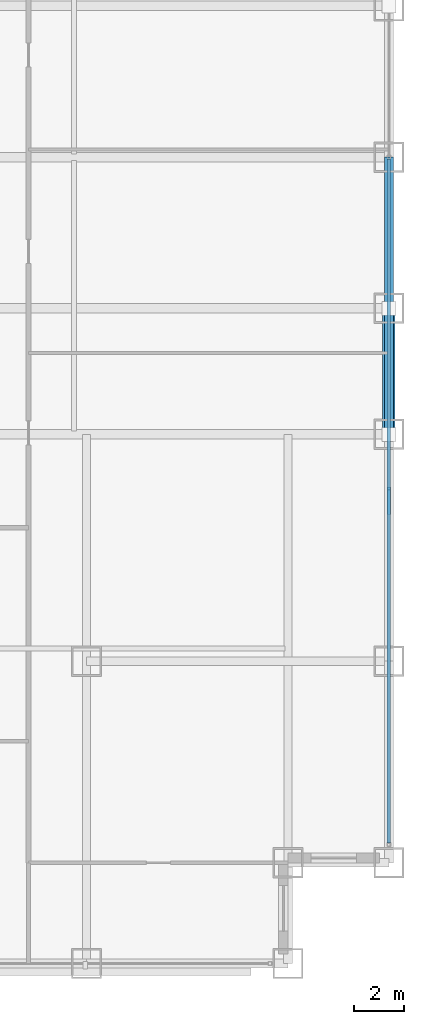
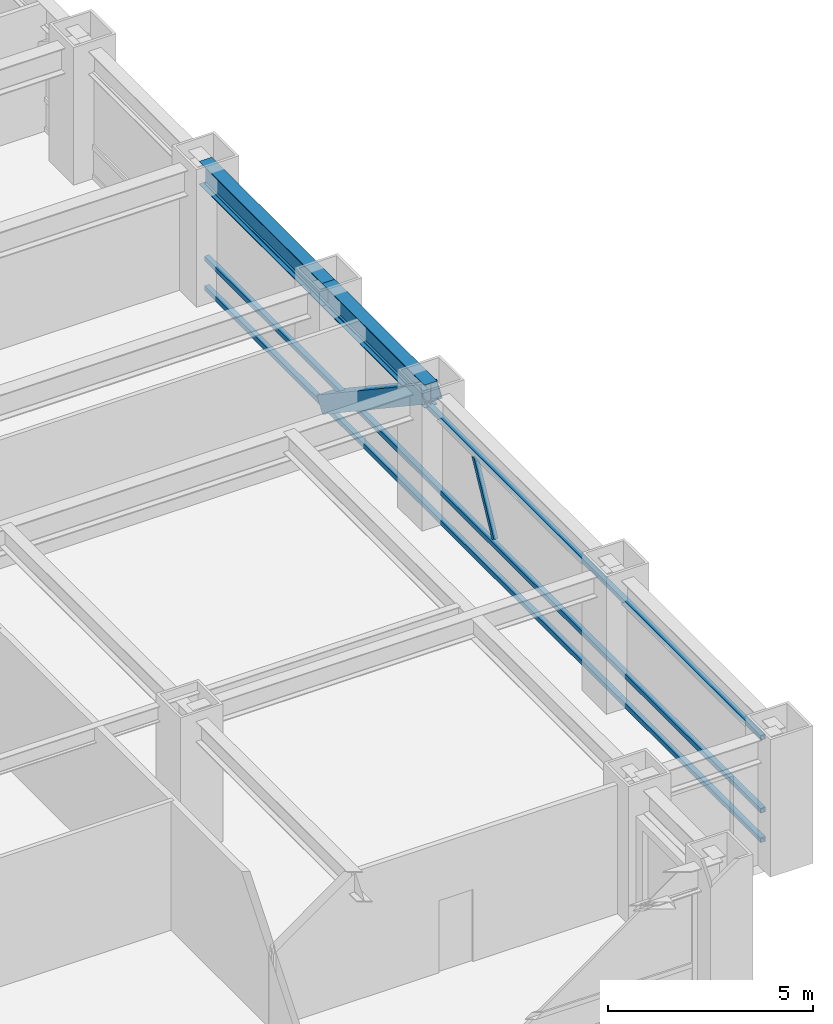
# One storey, part 13 of 32: 5 members, 2 beams, 1 element without a shape of its own.
"""IFC4 building model written with IfcOpenShell, lengths in metres."""

from ifc_helpers import new_model, si_unit, direction, frame, origin, origin_2d, place, context, subcontext, project, spatial, hollow_rectangle, i_section, extrude, source, transform, mapped, material, material_profile, profile_set, type_object, element, aggregate, save


model = new_model("IFC4")

# Units and contexts
model_context = context("Model", 3, precision=1e-05, world=origin(), true_north=direction((0.0, 1.0)))
body_context = subcontext(model_context, "Body", "Model", "MODEL_VIEW")
ifc_project = project(units=[si_unit("LENGTHUNIT", "METRE"), si_unit("AREAUNIT", "SQUARE_METRE"), si_unit("VOLUMEUNIT", "CUBIC_METRE"), si_unit("PLANEANGLEUNIT", "RADIAN"), si_unit("MASSUNIT", "GRAM", prefix="KILO")], contexts=[model_context])

# Site, building, storey
site_placement = place(None, origin())
site = spatial("IfcSite", under=ifc_project, at=site_placement, CompositionType="ELEMENT")
building_placement = place(site_placement, origin())
building = spatial("IfcBuilding", under=site, at=building_placement, Name="Khorayat Bourse Tower", CompositionType="ELEMENT")
storey_placement = place(building_placement, frame((0.0, 0.0, 99.60009765625)))
storey = spatial("IfcBuildingStorey", under=building, at=storey_placement, Name="L22", CompositionType="ELEMENT", Elevation=99.60009765625)

# Beams
ifc_material_1 = material(Name="Steel ASTM A992 Grade 50", Category="steel")
ifc_material_profile_1 = material_profile(ifc_material_1, i_section(OverallWidth=0.35498046875, OverallDepth=0.695068359375, WebThickness=0.015380859375, FlangeThickness=0.02490234375, FilletRadius=0.01806640625, at=origin_2d()), Name="W690X217")
ifc_profile_set_1 = profile_set([ifc_material_profile_1], Name="Steel ASTM A992 Grade 50")
beam_type = type_object("IfcBeamType", Name="BM-SPAN-690", PredefinedType="SPANDREL", material=ifc_profile_set_1)
shared_shape_1 = source(origin(), body_context, "Body", "SweptSolid", [
    extrude(i_section(OverallWidth=0.35498046875, OverallDepth=0.695068359375, WebThickness=0.015380859375, FlangeThickness=0.02490234375, FilletRadius=0.01806640625, at=origin_2d()), origin(), (0.0, 0.0, 1.0), 5.0),
])
beam_1_placement = place(storey_placement, frame((32.0, -11.0, 3.492431640625), z_axis=(0.0, 1.0, 0.0), x_axis=(-1.0, 0.0, 0.0)))
element("IfcBeam", 1, at=beam_1_placement, inside=storey, type_object=beam_type, Name="L22 BM-SPAN-690 BM-L22-SPN-036", PredefinedType="SPANDREL", context=body_context, shape_type="MappedRepresentation", body=[
    mapped(shared_shape_1, transform((0.0, 0.0, 0.0), scale=1.0)),
])
shared_shape_2 = source(origin(), body_context, "Body", "SweptSolid", [
    extrude(i_section(OverallWidth=0.35498046875, OverallDepth=0.695068359375, WebThickness=0.015380859375, FlangeThickness=0.02490234375, FilletRadius=0.01806640625, at=origin_2d()), origin(), (0.0, 0.0, 1.0), 6.0),
])
beam_2_placement = place(storey_placement, frame((32.0, -6.0, 3.492431640625), z_axis=(0.0, 1.0, 0.0), x_axis=(-1.0, 0.0, 0.0)))
element("IfcBeam", 2, at=beam_2_placement, inside=storey, type_object=beam_type, Name="L22 BM-SPAN-690 BM-L22-SPN-037", PredefinedType="SPANDREL", context=body_context, shape_type="MappedRepresentation", body=[
    mapped(shared_shape_2, transform((0.0, 0.0, 0.0), scale=1.0)),
])

# Member
ifc_material_2 = material(Name="Steel EN 10025-4 S460M", Category="steel")
ifc_material_profile_2 = material_profile(ifc_material_2, hollow_rectangle(XDim=0.5, YDim=0.5, WallThickness=0.028076171875, at=origin_2d()), Name="HSS 500x500x28")
ifc_profile_set_2 = profile_set([ifc_material_profile_2], Name="Steel EN 10025-4 S460M")
member_type_1 = type_object("IfcMemberType", Name="MBR-TUBE-500", PredefinedType="BRACE", material=ifc_profile_set_2)
shared_shape_3 = source(origin(), body_context, "Body", "SweptSolid", [
    extrude(hollow_rectangle(XDim=0.5, YDim=0.5, WallThickness=0.028076171875, at=origin_2d()), origin(), (0.0, 0.0, 1.0), 6.012939453125),
])
member_1_placement = place(storey_placement, frame((32.0, -11.0, 3.58984375), z_axis=(0.0, 0.831550226979, -0.555449565677), x_axis=(-1.0, 0.0, 0.0)))
element("IfcMember", 3, at=member_1_placement, inside=storey, type_object=member_type_1, Name="L22 Perimeter Tube Brace 07", PredefinedType="BRACE", context=body_context, shape_type="MappedRepresentation", body=[
    mapped(shared_shape_3, transform((0.0, 0.0, 0.0), scale=1.0)),
])

# Curtain wall, members
ifc_material_3 = material(Name="Aluminium EN AW-6063 T6", Category="aluminium")
curtain_wall_type = type_object("IfcCurtainWallType", Name="CW-SYS-02", PredefinedType="NOTDEFINED", material=ifc_material_3)
curtain_wall_placement = place(storey_placement, origin())
curtain_wall = element("IfcCurtainWall", 4, at=curtain_wall_placement, inside=storey, type_object=curtain_wall_type, Name="L22 Curtain Wall CW-L22-E1", PredefinedType="NOTDEFINED")
ifc_material_profile_3 = material_profile(ifc_material_3, hollow_rectangle(XDim=0.139892578125, YDim=0.139892578125, WallThickness=0.006103515625, at=origin_2d()), Name="ALU 140x140x6")
ifc_profile_set_3 = profile_set([ifc_material_profile_3], Name="Aluminium EN AW-6063 T6")
member_type_2 = type_object("IfcMemberType", Name="CWT-HORZ-140", PredefinedType="USERDEFINED", material=ifc_profile_set_3)
shared_shape_4 = source(origin(), body_context, "Body", "SweptSolid", [
    extrude(hollow_rectangle(XDim=0.139892578125, YDim=0.139892578125, WallThickness=0.006103515625, at=origin_2d()), origin(), (0.0, 0.0, 1.0), 27.139892578125),
])
member_2_placement = place(storey_placement, frame((32.0, -27.2099609375, 0.06982421875), z_axis=(0.0, 1.0, 0.0), x_axis=(-1.0, 0.0, 0.0)))
member_2 = element("IfcMember", 5, at=member_2_placement, type_object=member_type_2, Name="CW-L22-E1 Horizontal Transom 1-1", ObjectType="TRANSOM", PredefinedType="USERDEFINED", context=body_context, shape_type="MappedRepresentation", body=[
    mapped(shared_shape_4, transform((0.0, 0.0, 0.0), scale=1.0)),
])
member_3_placement = place(storey_placement, frame((32.0, -27.2099609375, 0.949951171875), z_axis=(0.0, 1.0, 0.0), x_axis=(-1.0, 0.0, 0.0)))
member_3 = element("IfcMember", 6, at=member_3_placement, type_object=member_type_2, Name="CW-L22-E1 Horizontal Transom 1-2", ObjectType="TRANSOM", PredefinedType="USERDEFINED", context=body_context, shape_type="MappedRepresentation", body=[
    mapped(shared_shape_4, transform((0.0, 0.0, 0.0), scale=1.0)),
])
member_4_placement = place(storey_placement, frame((32.0, -27.2099609375, 3.119873046875), z_axis=(0.0, 1.0, 0.0), x_axis=(-1.0, 0.0, 0.0)))
member_4 = element("IfcMember", 7, at=member_4_placement, type_object=member_type_2, Name="CW-L22-E1 Horizontal Transom 1-3", ObjectType="TRANSOM", PredefinedType="USERDEFINED", context=body_context, shape_type="MappedRepresentation", body=[
    mapped(shared_shape_4, transform((0.0, 0.0, 0.0), scale=1.0)),
])
ifc_material_profile_4 = material_profile(ifc_material_3, hollow_rectangle(XDim=0.1201171875, YDim=0.1201171875, WallThickness=0.0048828125, at=origin_2d()), Name="ALU 120x120x5")
ifc_profile_set_4 = profile_set([ifc_material_profile_4], Name="Aluminium EN AW-6063 T6")
member_type_3 = type_object("IfcMemberType", Name="CWM-DIAG-120", PredefinedType="MULLION", material=ifc_profile_set_4)
shared_shape_5 = source(origin(), body_context, "Body", "SweptSolid", [
    extrude(hollow_rectangle(XDim=0.1201171875, YDim=0.1201171875, WallThickness=0.0048828125, at=origin_2d()), origin(), (0.0, 0.0, 1.0), 2.11328125),
])
member_5_placement = place(storey_placement, frame((32.0, -14.132080078125, 1.099853515625), z_axis=(0.0, 0.465694055905, 0.884945787207), x_axis=(-1.0, 0.0, 0.0)))
member_5 = element("IfcMember", 8, at=member_5_placement, type_object=member_type_3, Name="CW-L22-E1 Faceted Diagonal Mullion 1", PredefinedType="MULLION", context=body_context, shape_type="MappedRepresentation", body=[
    mapped(shared_shape_5, transform((0.0, 0.0, 0.0), scale=1.0)),
])
aggregate(curtain_wall, [member_2, member_3, member_4, member_5])

save(model, "model.ifc")
